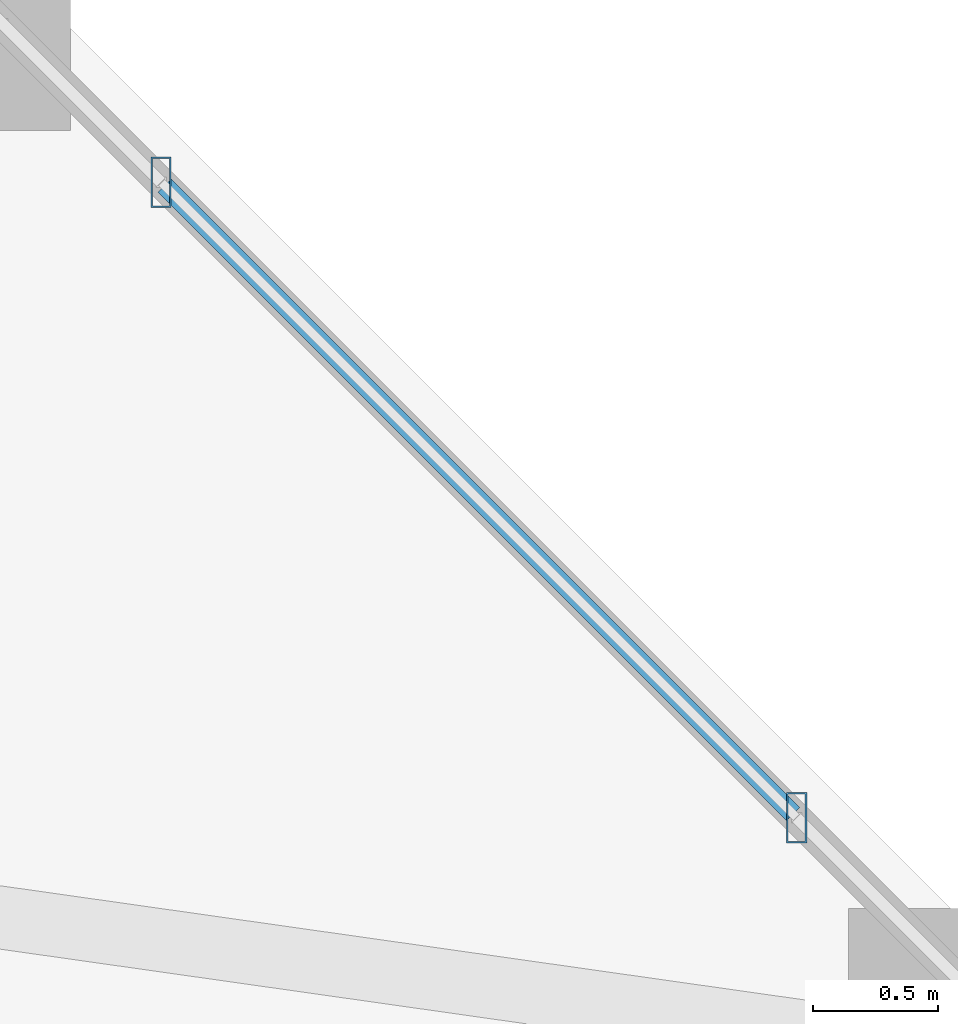
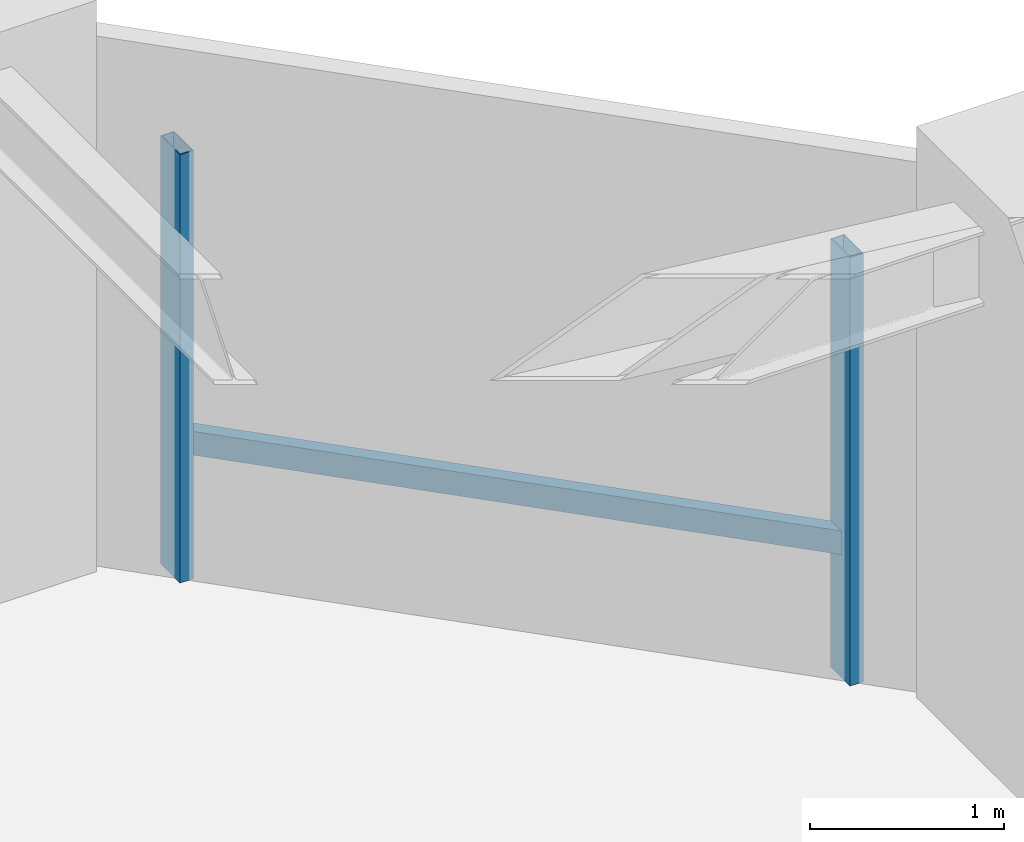
# One storey, part 9 of 33: 3 members, 1 element without a shape of its own.
"""IFC4 building model written with IfcOpenShell, lengths in metres."""

from ifc_helpers import new_model, si_unit, direction, frame, origin, origin_2d, place, context, subcontext, project, spatial, hollow_rectangle, extrude, material, material_profile, profile_set, type_object, element, aggregate, save


model = new_model("IFC4")

# Units and contexts
model_context = context("Model", 3, precision=1e-05, world=origin(), true_north=direction((0.0, 1.0)))
body_context = subcontext(model_context, "Body", "Model", "MODEL_VIEW")
ifc_project = project(units=[si_unit("LENGTHUNIT", "METRE"), si_unit("AREAUNIT", "SQUARE_METRE"), si_unit("VOLUMEUNIT", "CUBIC_METRE"), si_unit("PLANEANGLEUNIT", "RADIAN"), si_unit("MASSUNIT", "GRAM", prefix="KILO")], contexts=[model_context])

# Site, building, storey
site_placement = place(None, origin())
site = spatial("IfcSite", under=ifc_project, at=site_placement, CompositionType="ELEMENT")
building_placement = place(site_placement, origin())
building = spatial("IfcBuilding", under=site, at=building_placement, Name="Thornwick Lancets Civic Towers", CompositionType="ELEMENT")
storey_placement = place(building_placement, frame((0.0, 0.0, 134.10009765625)))
storey = spatial("IfcBuildingStorey", under=building, at=storey_placement, Name="L35", CompositionType="ELEMENT", Elevation=134.10009765625)

# Curtain wall, members
ifc_material_1 = material(Name="Mid-zone chamfered-corner unitised glass curtain wall", Category="glass")
curtain_wall_type = type_object("IfcCurtainWallType", Name="CW_SYS_04", PredefinedType="NOTDEFINED", material=ifc_material_1)
curtain_wall_placement = place(storey_placement, origin())
curtain_wall = element("IfcCurtainWall", 1, at=curtain_wall_placement, inside=storey, type_object=curtain_wall_type, Name="L35 Curtain Wall CW-L35-A-E3", PredefinedType="NOTDEFINED")
ifc_material_2 = material(Name="Thermally broken bronze aluminium S355", Category="steel")
ifc_material_profile_1 = material_profile(ifc_material_2, hollow_rectangle(XDim=0.080078125, YDim=0.199951171875, WallThickness=0.006103515625, at=origin_2d()), Name="RHS 200x80x6")
ifc_profile_set_1 = profile_set([ifc_material_profile_1], Name="Thermally broken bronze aluminium S355")
member_type_1 = type_object("IfcMemberType", Name="CW_MUL_200", PredefinedType="MULLION", material=ifc_profile_set_1)
member_1_placement = place(storey_placement, frame((41.993896484375, 40.9619140625, 0.0), z_axis=(0.0, 0.0, 1.0), x_axis=(1.0, 0.0, 0.0)))
member_1 = element("IfcMember", 2, at=member_1_placement, type_object=member_type_1, Name="CW-L35-A-E3 Mullion 0", PredefinedType="MULLION", context=body_context, shape_type="SweptSolid", body=[
    extrude(hollow_rectangle(XDim=0.080078125, YDim=0.199951171875, WallThickness=0.006103515625, at=origin_2d()), origin(), (0.0, 0.0, 1.0), 2.699951171875),
])
member_2_placement = place(storey_placement, frame((39.4619140625, 43.493896484375, 0.0), z_axis=(0.0, 0.0, 1.0), x_axis=(1.0, 0.0, 0.0)))
member_2 = element("IfcMember", 3, at=member_2_placement, type_object=member_type_1, Name="CW-L35-A-E3 Mullion 1", PredefinedType="MULLION", context=body_context, shape_type="SweptSolid", body=[
    extrude(hollow_rectangle(XDim=0.080078125, YDim=0.199951171875, WallThickness=0.006103515625, at=origin_2d()), origin(), (0.0, 0.0, 1.0), 2.699951171875),
])
ifc_material_profile_2 = material_profile(ifc_material_2, hollow_rectangle(XDim=0.074951171875, YDim=0.14990234375, WallThickness=0.0048828125, at=origin_2d()), Name="RHS 150x75x5")
ifc_profile_set_2 = profile_set([ifc_material_profile_2], Name="Thermally broken bronze aluminium S355")
member_type_2 = type_object("IfcMemberType", Name="CW_TRN_150", PredefinedType="USERDEFINED", material=ifc_profile_set_2)
member_3_placement = place(storey_placement, frame((41.97998046875, 40.975830078125, 0.849853515625), z_axis=(-0.707106781187, 0.707106781187, 0.0), x_axis=(-0.707106781187, -0.707106781187, 0.0)))
member_3 = element("IfcMember", 4, at=member_3_placement, type_object=member_type_2, Name="CW-L35-A-E3 Transom 0", ObjectType="TRANSOM", PredefinedType="USERDEFINED", context=body_context, shape_type="SweptSolid", body=[
    extrude(hollow_rectangle(XDim=0.074951171875, YDim=0.14990234375, WallThickness=0.0048828125, at=origin_2d()), origin(), (0.0, 0.0, 1.0), 3.54150390625),
])
aggregate(curtain_wall, [member_1, member_2, member_3])

save(model, "model.ifc")
